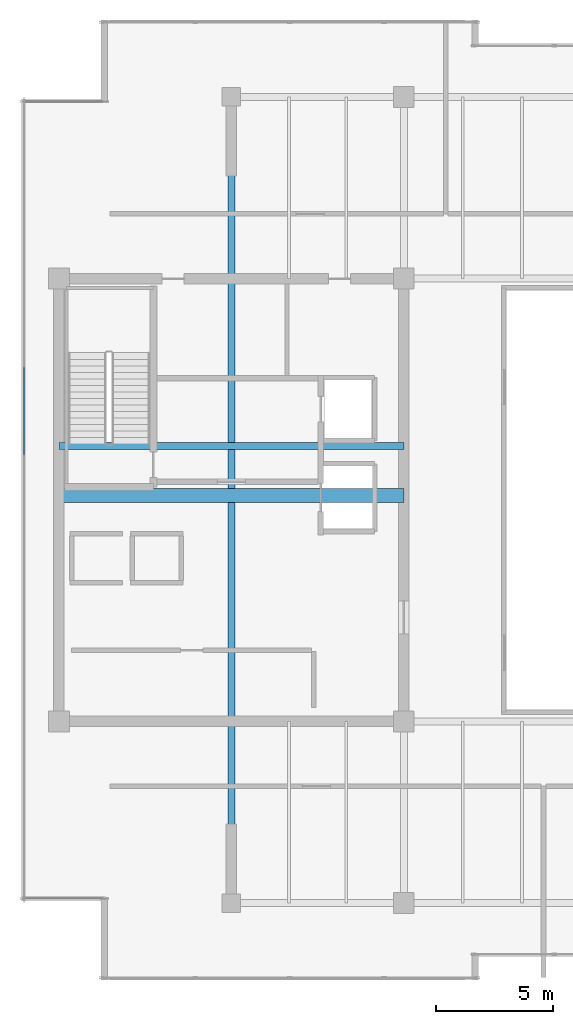
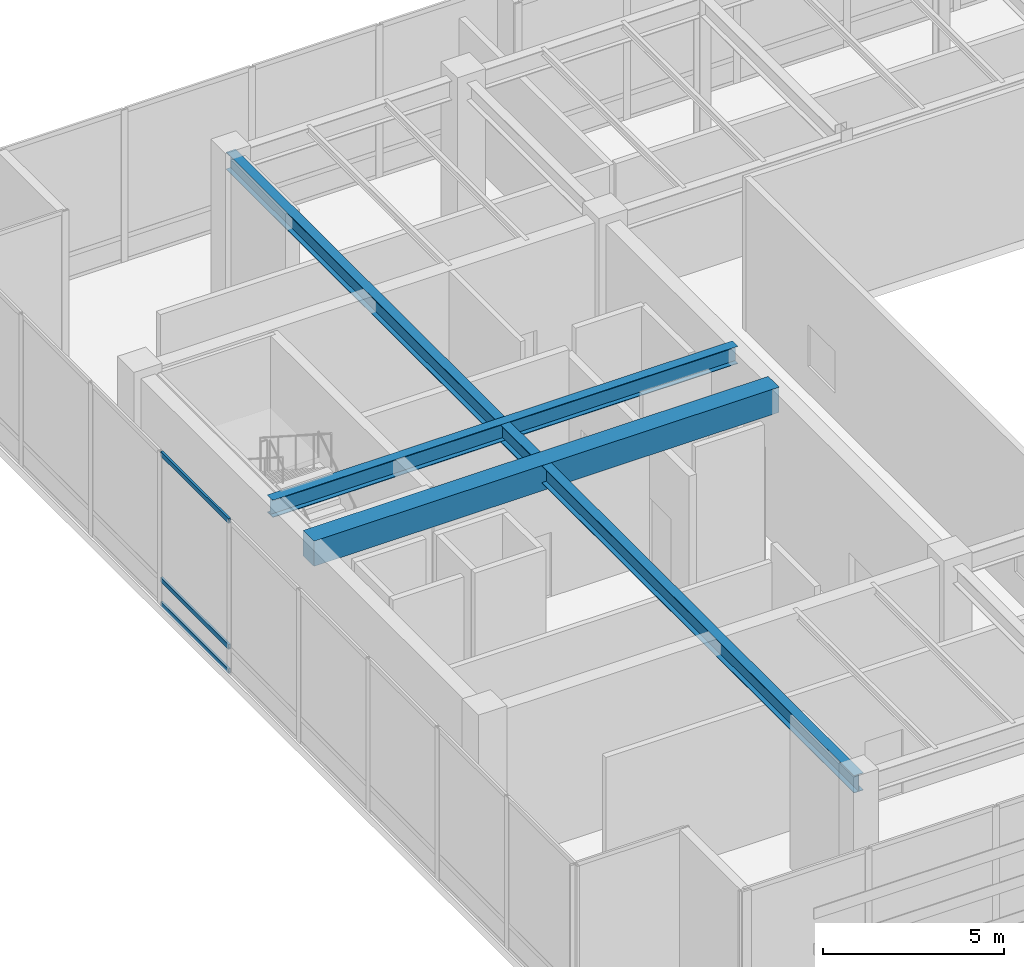
# One storey, part 10 of 30: 3 beams, 3 members, 1 element without a shape of its own.
"""IFC4 building model written with IfcOpenShell, lengths in metres."""

from ifc_helpers import new_model, si_unit, direction, frame, origin, origin_2d, place, context, subcontext, project, spatial, rectangle, hollow_rectangle, i_section, extrude, source, transform, mapped, material, layer, layer_set, material_profile, profile_set, type_object, type_shapes, element, aggregate, save


model = new_model("IFC4")

# Units and contexts
model_context = context("Model", 3, precision=1e-05, world=origin(), true_north=direction((0.0, 1.0)))
body_context = subcontext(model_context, "Body", "Model", "MODEL_VIEW")
ifc_project = project(units=[si_unit("LENGTHUNIT", "METRE"), si_unit("AREAUNIT", "SQUARE_METRE"), si_unit("VOLUMEUNIT", "CUBIC_METRE"), si_unit("PLANEANGLEUNIT", "RADIAN"), si_unit("MASSUNIT", "GRAM", prefix="KILO")], contexts=[model_context])

# Site, building, storey
site_placement = place(None, origin())
site = spatial("IfcSite", under=ifc_project, at=site_placement, CompositionType="ELEMENT")
building_placement = place(site_placement, origin())
building = spatial("IfcBuilding", under=site, at=building_placement, Name="Haelvirn Gate Laboratories", CompositionType="ELEMENT")
storey_placement = place(building_placement, frame((0.0, 0.0, 327.0)))
storey = spatial("IfcBuildingStorey", under=building, at=storey_placement, Name="L78", CompositionType="ELEMENT", Elevation=327.0)

# Beams
ifc_material_1 = material(Name="Steel SM355", Category="steel")
ifc_material_profile_1 = material_profile(ifc_material_1, i_section(OverallWidth=0.300048828125, OverallDepth=0.587890625, WebThickness=0.011962890625, FlangeThickness=0.02001953125, at=origin_2d()), Name="H-588x300x12x20")
ifc_profile_set_1 = profile_set([ifc_material_profile_1], Name="Steel SM355")
beam_type_1 = type_object("IfcBeamType", Name="BM-G-588", PredefinedType="BEAM", material=ifc_profile_set_1)
shared_shape_1 = source(origin(), body_context, "Body", "SweptSolid", [
    extrude(i_section(OverallWidth=0.300048828125, OverallDepth=0.587890625, WebThickness=0.011962890625, FlangeThickness=0.02001953125, at=origin_2d()), origin(), (0.0, 0.0, 1.0), 14.800048828125),
])
beam_1_placement = place(storey_placement, frame((7.39990234375, 26.6201171875, 4.825927734375), z_axis=(1.0, 0.0, 0.0), x_axis=(0.0, 1.0, 0.0)))
element("IfcBeam", 1, at=beam_1_placement, inside=storey, type_object=beam_type_1, Name="L78 Stair ST1 Landing Header", PredefinedType="BEAM", context=body_context, shape_type="MappedRepresentation", body=[
    mapped(shared_shape_1, transform((0.0, 0.0, 0.0), scale=1.0)),
])
shared_shape_2 = source(origin(), body_context, "Body", "SweptSolid", [
    extrude(i_section(OverallWidth=0.300048828125, OverallDepth=0.587890625, WebThickness=0.011962890625, FlangeThickness=0.02001953125, at=origin_2d()), origin(), (0.0, 0.0, 1.0), 34.60009765625),
])
type_shapes(beam_type_1, [shared_shape_1, shared_shape_2])
beam_2_placement = place(storey_placement, frame((14.800048828125, 7.0, 4.825927734375), z_axis=(0.0, 1.0, 0.0), x_axis=(-1.0, 0.0, 0.0)))
element("IfcBeam", 2, at=beam_2_placement, inside=storey, type_object=beam_type_1, Name="L78 Frame Girder X14.8 (7.0-41.6)", PredefinedType="BEAM", context=body_context, shape_type="MappedRepresentation", body=[
    mapped(shared_shape_2, transform((0.0, 0.0, 0.0), scale=1.0)),
])
ifc_material_2 = material(Name="Concrete C50/60", Category="concrete")
ifc_material_profile_2 = material_profile(ifc_material_2, rectangle(XDim=0.60009765625, YDim=0.85009765625, at=origin_2d()), Name="RCB-600x850")
ifc_profile_set_2 = profile_set([ifc_material_profile_2], Name="Concrete C50/60")
beam_type_2 = type_object("IfcBeamType", Name="BM-RCB-850", PredefinedType="LINTEL", material=ifc_profile_set_2)
shared_shape_3 = source(origin(), body_context, "Body", "SweptSolid", [
    extrude(rectangle(XDim=0.60009765625, YDim=0.85009765625, at=origin_2d()), origin(), (0.0, 0.0, 1.0), 14.800048828125),
])
type_shapes(beam_type_2, [shared_shape_3])
beam_3_placement = place(storey_placement, frame((7.39990234375, 24.5, 4.695068359375), z_axis=(1.0, 0.0, 0.0), x_axis=(0.0, 1.0, 0.0)))
element("IfcBeam", 3, at=beam_3_placement, inside=storey, type_object=beam_type_2, Name="L78 West Core Coupling Beam", PredefinedType="LINTEL", context=body_context, shape_type="MappedRepresentation", body=[
    mapped(shared_shape_3, transform((0.0, 0.0, 0.0), scale=1.0)),
])

# Curtain wall, members
ifc_material_3 = material(Name="Anodised bronze unitised aluminium & triple low-E glass", Category="aluminium")
ifc_layer = layer(ifc_material_3, 0.19189453125, Name="CW-SYS-6")
ifc_layer_set = layer_set([ifc_layer], Name="Anodised bronze unitised aluminium & triple low-E glass")
curtain_wall_type = type_object("IfcCurtainWallType", Name="CW-SYS-6", PredefinedType="NOTDEFINED", material=ifc_layer_set)
curtain_wall_placement = place(storey_placement, origin())
curtain_wall = element("IfcCurtainWall", 4, at=curtain_wall_placement, inside=storey, type_object=curtain_wall_type, Name="L78 Unitised Curtain Wall CW-L78-P0-E17", PredefinedType="NOTDEFINED")
ifc_material_4 = material(Name="Extruded aluminium 6063-T6 (anodised bronze)", Category="aluminium")
ifc_material_profile_3 = material_profile(ifc_material_4, hollow_rectangle(XDim=0.070068359375, YDim=0.159912109375, WallThickness=0.0048828125, at=origin_2d()), Name="CWT-160x70x5")
ifc_profile_set_3 = profile_set([ifc_material_profile_3], Name="Extruded aluminium 6063-T6 (anodised bronze)")
member_type = type_object("IfcMemberType", Name="CWT-T160", PredefinedType="USERDEFINED", material=ifc_profile_set_3)
shared_shape_4 = source(origin(), body_context, "Body", "SweptSolid", [
    extrude(hollow_rectangle(XDim=0.070068359375, YDim=0.159912109375, WallThickness=0.0048828125, at=origin_2d()), origin(), (0.0, 0.0, 1.0), 3.7421875),
])
type_shapes(member_type, [shared_shape_4])
member_1_placement = place(storey_placement, frame((5.89990234375, 29.993408203125, 0.034912109375), z_axis=(0.0, -1.0, 0.0), x_axis=(1.0, 0.0, 0.0)))
member_1 = element("IfcMember", 5, at=member_1_placement, type_object=member_type, Name="CW6 transom 4.1", ObjectType="TRANSOM", PredefinedType="USERDEFINED", context=body_context, shape_type="MappedRepresentation", body=[
    mapped(shared_shape_4, transform((0.0, 0.0, 0.0), scale=1.0)),
])
member_2_placement = place(storey_placement, frame((5.89990234375, 29.993408203125, 0.85009765625), z_axis=(0.0, -1.0, 0.0), x_axis=(1.0, 0.0, 0.0)))
member_2 = element("IfcMember", 6, at=member_2_placement, type_object=member_type, Name="CW6 transom 4.2", ObjectType="TRANSOM", PredefinedType="USERDEFINED", context=body_context, shape_type="MappedRepresentation", body=[
    mapped(shared_shape_4, transform((0.0, 0.0, 0.0), scale=1.0)),
])
member_3_placement = place(storey_placement, frame((5.89990234375, 29.993408203125, 5.0849609375), z_axis=(0.0, -1.0, 0.0), x_axis=(1.0, 0.0, 0.0)))
member_3 = element("IfcMember", 7, at=member_3_placement, type_object=member_type, Name="CW6 transom 4.3", ObjectType="TRANSOM", PredefinedType="USERDEFINED", context=body_context, shape_type="MappedRepresentation", body=[
    mapped(shared_shape_4, transform((0.0, 0.0, 0.0), scale=1.0)),
])
aggregate(curtain_wall, [member_1, member_2, member_3])

save(model, "model.ifc")
